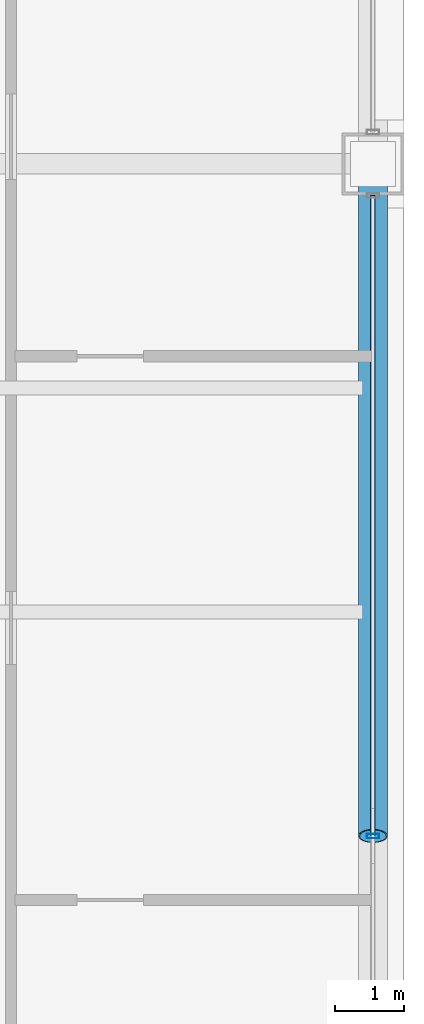
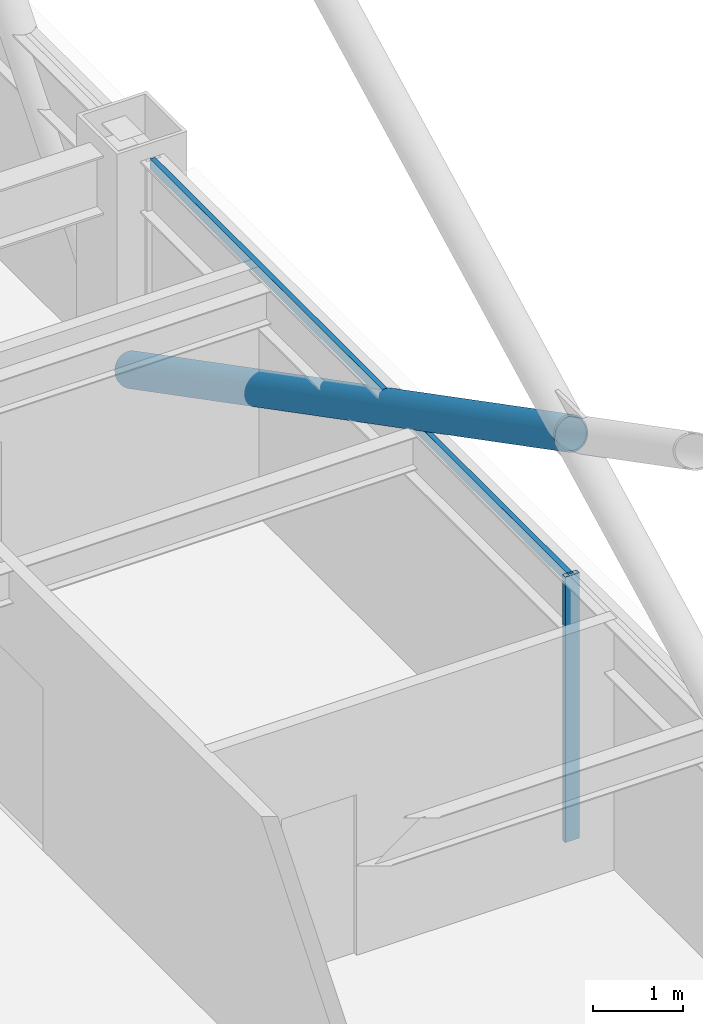
# One storey, part 14 of 29: 3 members, 1 element without a shape of its own.
"""IFC4 building model written with IfcOpenShell, lengths in metres."""

from ifc_helpers import new_model, si_unit, direction, frame, origin, origin_2d, place, context, subcontext, project, spatial, hollow_rectangle, hollow_circle, extrude, material, layer, layer_set, material_profile, profile_set, type_object, element, aggregate, save


model = new_model("IFC4")

# Units and contexts
model_context = context("Model", 3, precision=1e-05, world=origin(), true_north=direction((0.0, 1.0)))
body_context = subcontext(model_context, "Body", "Model", "MODEL_VIEW")
ifc_project = project(units=[si_unit("LENGTHUNIT", "METRE"), si_unit("AREAUNIT", "SQUARE_METRE"), si_unit("VOLUMEUNIT", "CUBIC_METRE"), si_unit("PLANEANGLEUNIT", "RADIAN"), si_unit("MASSUNIT", "GRAM", prefix="KILO")], contexts=[model_context])

# Site, building, storey
site_placement = place(None, origin())
site = spatial("IfcSite", under=ifc_project, at=site_placement, CompositionType="ELEMENT")
building_placement = place(site_placement, origin())
building = spatial("IfcBuilding", under=site, at=building_placement, Name="Brelmoor Portico Tower", CompositionType="ELEMENT")
storey_placement = place(building_placement, frame((0.0, 0.0, 67.199951171875)))
storey = spatial("IfcBuildingStorey", under=building, at=storey_placement, Name="L17", CompositionType="ELEMENT", Elevation=67.199951171875)

# Member
ifc_material_1 = material(Name="Steel Q355B", Category="steel")
ifc_material_profile_1 = material_profile(ifc_material_1, hollow_circle(Radius=0.212890625, WallThickness=0.02001953125, at=origin_2d()), Name="CHS 426x20")
ifc_profile_set_1 = profile_set([ifc_material_profile_1], Name="Steel Q355B")
member_type_1 = type_object("IfcMemberType", Name="MB-BELT-DIAG1", PredefinedType="BRACE", material=ifc_profile_set_1)
member_1_placement = place(storey_placement, frame((24.550048828125, 9.75, 0.25), z_axis=(0.0, -0.887959386012, 0.459921872488), x_axis=(1.0, 0.0, 0.0)))
element("IfcMember", 1, at=member_1_placement, inside=storey, type_object=member_type_1, Name="L17 Split Mega-X Brace 041B1", PredefinedType="BRACE", context=body_context, shape_type="SweptSolid", body=[
    extrude(hollow_circle(Radius=0.212890625, WallThickness=0.02001953125, at=origin_2d()), origin(), (0.0, 0.0, 1.0), 10.980224609375),
])

# Curtain wall, members
ifc_material_2 = material(Name="Anodised Aluminium Alloy 6063-T6", Category="aluminium")
ifc_layer = layer(ifc_material_2, 0.179931640625)
ifc_layer_set = layer_set([ifc_layer], Name="Anodised Aluminium Alloy 6063-T6")
curtain_wall_type = type_object("IfcCurtainWallType", Name="CW-TOWER-Z1-XB", PredefinedType="NOTDEFINED", material=ifc_layer_set)
curtain_wall_placement = place(storey_placement, origin())
curtain_wall = element("IfcCurtainWall", 2, at=curtain_wall_placement, inside=storey, type_object=curtain_wall_type, Name="L17 Curtain Wall CW-L17-04-2", PredefinedType="NOTDEFINED")
ifc_material_profile_2 = material_profile(ifc_material_2, hollow_rectangle(XDim=0.06494140625, YDim=0.179931640625, WallThickness=0.00390625, at=origin_2d()), Name="ALU MULLION 65x180")
ifc_profile_set_2 = profile_set([ifc_material_profile_2], Name="Anodised Aluminium Alloy 6063-T6")
member_type_2 = type_object("IfcMemberType", Name="MB-CW-MULL-180", PredefinedType="MULLION", material=ifc_profile_set_2)
member_2_placement = place(storey_placement, frame((24.550048828125, 0.0, -0.199951171875), z_axis=(0.0, 0.0, 1.0), x_axis=(0.0, 1.0, 0.0)))
member_2 = element("IfcMember", 3, at=member_2_placement, type_object=member_type_2, Name="CW-L17-04-2 Mullion 01", PredefinedType="MULLION", context=body_context, shape_type="SweptSolid", body=[
    extrude(hollow_rectangle(XDim=0.06494140625, YDim=0.179931640625, WallThickness=0.00390625, at=origin_2d()), origin(), (0.0, 0.0, 1.0), 3.60009765625),
])
ifc_material_profile_3 = material_profile(ifc_material_2, hollow_rectangle(XDim=0.06494140625, YDim=0.139892578125, WallThickness=0.00390625, at=origin_2d()), Name="ALU TRANSOM 65x140")
ifc_profile_set_3 = profile_set([ifc_material_profile_3], Name="Anodised Aluminium Alloy 6063-T6")
member_type_3 = type_object("IfcMemberType", Name="MB-CW-TRAN-140", PredefinedType="USERDEFINED", material=ifc_profile_set_3)
member_3_placement = place(storey_placement, frame((24.550048828125, 0.0, 3.330078125), z_axis=(0.0, 1.0, 0.0), x_axis=(-1.0, 0.0, 0.0)))
member_3 = element("IfcMember", 4, at=member_3_placement, type_object=member_type_3, Name="CW-L17-04-2 Transom 1-01", ObjectType="TRANSOM", PredefinedType="USERDEFINED", context=body_context, shape_type="SweptSolid", body=[
    extrude(hollow_rectangle(XDim=0.06494140625, YDim=0.139892578125, WallThickness=0.00390625, at=origin_2d()), origin(), (0.0, 0.0, 1.0), 9.2900390625),
])
aggregate(curtain_wall, [member_2, member_3])

save(model, "model.ifc")
